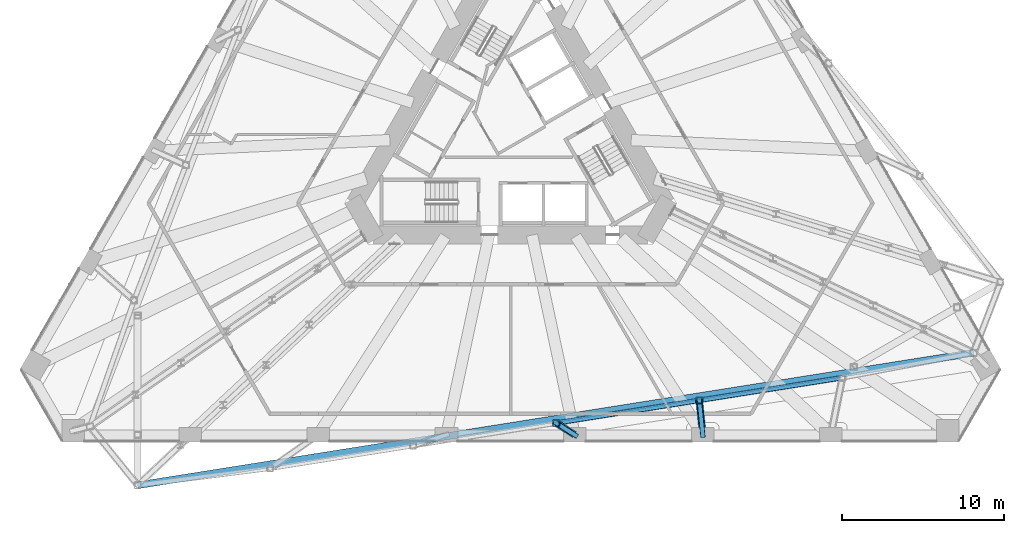
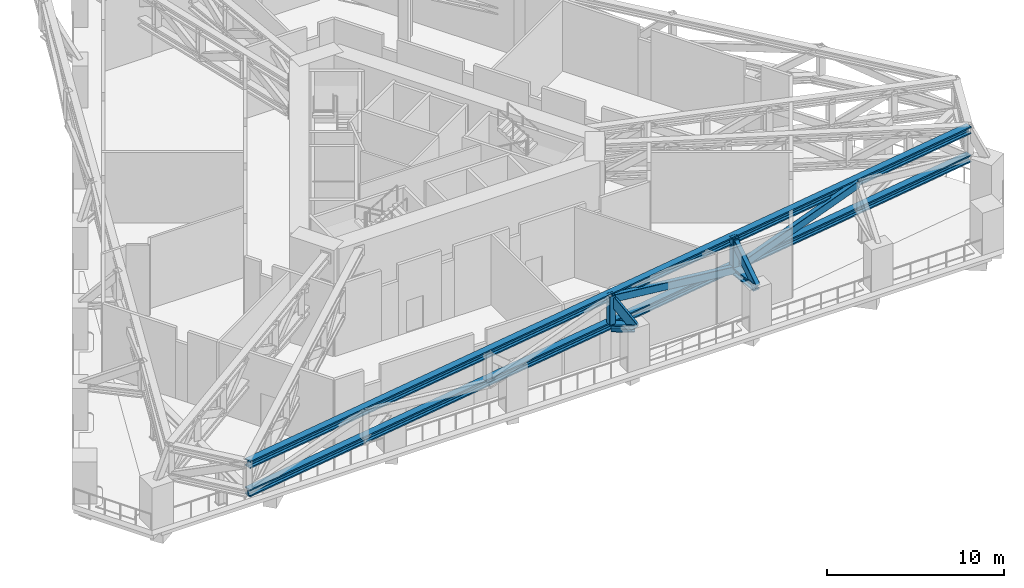
# One storey, part 5 of 20: 10 members.
"""IFC4 building model written with IfcOpenShell, lengths in metres."""

from ifc_helpers import new_model, si_unit, direction, frame, origin, origin_2d, place, context, subcontext, project, spatial, hollow_rectangle, i_section, extrude, material, material_profile, profile_set, type_object, element, save


model = new_model("IFC4")

# Units and contexts
model_context = context("Model", 3, precision=1e-05, world=origin(), true_north=direction((0.0, 1.0)))
body_context = subcontext(model_context, "Body", "Model", "MODEL_VIEW")
ifc_project = project(units=[si_unit("LENGTHUNIT", "METRE"), si_unit("AREAUNIT", "SQUARE_METRE"), si_unit("VOLUMEUNIT", "CUBIC_METRE"), si_unit("PLANEANGLEUNIT", "RADIAN"), si_unit("MASSUNIT", "GRAM", prefix="KILO")], contexts=[model_context])

# Site, building, storey
site_placement = place(None, origin())
site = spatial("IfcSite", under=ifc_project, at=site_placement, CompositionType="ELEMENT")
building_placement = place(site_placement, origin())
building = spatial("IfcBuilding", under=site, at=building_placement, Name="Tramontana Tower", CompositionType="ELEMENT")
storey_placement = place(building_placement, frame((0.0, 0.0, 46.0)))
storey = spatial("IfcBuildingStorey", under=building, at=storey_placement, Name="L09", CompositionType="ELEMENT", Elevation=46.0)

# Members
ifc_material_1 = material(Name="Steel ASTM A500 Grade C", Category="steel")
ifc_material_profile_1 = material_profile(ifc_material_1, hollow_rectangle(XDim=0.406494140625, YDim=0.406494140625, WallThickness=0.0146484375, InnerFilletRadius=0.0146484375, OuterFilletRadius=0.029541015625, at=origin_2d()), Name="HSS16X16X5/8")
ifc_profile_set_1 = profile_set([ifc_material_profile_1], Name="Steel ASTM A500 Grade C")
member_type_1 = type_object("IfcMemberType", Name="Belt truss HSS16X16X5/8 post", PredefinedType="POST", material=ifc_profile_set_1)
for number, where, z_axis, x_axis, name in (
    (1, (2.823486328125, -17.827880859375, 2.8984375), (0.0, 0.0, 1.0), (1.0, 0.0, 0.0), "Belt truss post C1F08"),
    (2, (11.662353515625, -16.427978515625, 2.8984375), (0.0, 0.0, 1.0), (1.0, 0.0, 0.0), "Belt truss post C1F09"),
):
    element("IfcMember", number, at=place(storey_placement, frame(where, z_axis=z_axis, x_axis=x_axis)), inside=storey, type_object=member_type_1, Name=name, PredefinedType="POST", context=body_context, shape_type="SweptSolid", body=[
        extrude(hollow_rectangle(XDim=0.406494140625, YDim=0.406494140625, WallThickness=0.0146484375, InnerFilletRadius=0.0146484375, OuterFilletRadius=0.029541015625, at=origin_2d()), origin(), (0.0, 0.0, 1.0), 1.95166015625),
    ])
ifc_material_2 = material(Name="Steel ASTM A500 Grade C", Category="steel")
ifc_material_profile_2 = material_profile(ifc_material_2, hollow_rectangle(XDim=0.3046875, YDim=0.508056640625, WallThickness=0.0146484375, InnerFilletRadius=0.0146484375, OuterFilletRadius=0.029541015625, at=origin_2d()), Name="HSS20X12X5/8")
ifc_profile_set_2 = profile_set([ifc_material_profile_2], Name="Steel ASTM A500 Grade C")
member_type_2 = type_object("IfcMemberType", Name="Belt truss HSS20X12X5/8 brace", PredefinedType="BRACE", material=ifc_profile_set_2)
for number, where, z_axis, x_axis, name in (
    (3, (2.823486328125, -17.827880859375, 4.600830078125), (0.965006947837, 0.15283807974, -0.21307771354), (-0.156430465615, 0.987688974034, 0.0), "Belt truss diagonal S1.4"),
    (4, (11.662353515625, -16.427978515625, 2.649169921875), (0.965003016221, 0.152864111646, 0.213076845422), (-0.156457079071, 0.987684758619, 0.0), "Belt truss diagonal S1.5"),
):
    element("IfcMember", number, at=place(storey_placement, frame(where, z_axis=z_axis, x_axis=x_axis)), inside=storey, type_object=member_type_2, Name=name, PredefinedType="BRACE", context=body_context, shape_type="SweptSolid", body=[
        extrude(hollow_rectangle(XDim=0.3046875, YDim=0.508056640625, WallThickness=0.0146484375, InnerFilletRadius=0.0146484375, OuterFilletRadius=0.029541015625, at=origin_2d()), origin(), (0.0, 0.0, 1.0), 9.159423828125),
    ])
ifc_material_3 = material(Name="Steel ASTM A992 Grade 50", Category="steel")
ifc_material_profile_3 = material_profile(ifc_material_3, i_section(OverallWidth=0.431884765625, OverallDepth=0.49853515625, WebThickness=0.0556640625, FlangeThickness=0.0888671875, FilletRadius=0.01513671875, at=origin_2d()), Name="W14X500")
ifc_profile_set_3 = profile_set([ifc_material_profile_3], Name="Steel ASTM A992 Grade 50")
member_type_3 = type_object("IfcMemberType", Name="Belt truss W14X500 chord", PredefinedType="CHORD", material=ifc_profile_set_3)
for number, where, z_axis, x_axis, name in (
    (5, (-23.040283203125, -21.671142578125, 2.649169921875), (0.987687862367, 0.156437484424, 0.0), (-0.156437484424, 0.987687862367, 0.0), "Belt truss bottom chord S1"),
    (6, (-23.040283203125, -21.671142578125, 4.600830078125), (0.987687862367, 0.156437484424, 0.0), (-0.156437484424, 0.987687862367, 0.0), "Belt truss top chord S1"),
):
    element("IfcMember", number, at=place(storey_placement, frame(where, z_axis=z_axis, x_axis=x_axis)), inside=storey, type_object=member_type_3, Name=name, PredefinedType="CHORD", context=body_context, shape_type="SweptSolid", body=[
        extrude(i_section(OverallWidth=0.431884765625, OverallDepth=0.49853515625, WebThickness=0.0556640625, FlangeThickness=0.0888671875, FilletRadius=0.01513671875, at=origin_2d()), origin(), (0.0, 0.0, 1.0), 52.29345703125),
    ])
ifc_material_4 = material(Name="Steel ASTM A500 Grade C", Category="steel")
ifc_material_profile_4 = material_profile(ifc_material_4, hollow_rectangle(XDim=0.3046875, YDim=0.508056640625, WallThickness=0.0146484375, InnerFilletRadius=0.0146484375, OuterFilletRadius=0.029541015625, at=origin_2d()), Name="HSS20X12X5/8")
ifc_profile_set_4 = profile_set([ifc_material_profile_4], Name="Steel ASTM A500 Grade C")
member_type_4 = type_object("IfcMemberType", Name="Transfer truss HSS20X12X5/8 brace", PredefinedType="BRACE", material=ifc_profile_set_4)
member_1_placement = place(storey_placement, frame((3.958984375, -18.550048828125, 2.649169921875), z_axis=(-0.478986918492, 0.304631972672, 0.823268421075), x_axis=(-0.536652428532, -0.843803395911, 0.0)))
element("IfcMember", 7, at=member_1_placement, inside=storey, type_object=member_type_4, Name="Transfer truss strut C1F08 diagonal", PredefinedType="BRACE", context=body_context, shape_type="SweptSolid", body=[
    extrude(hollow_rectangle(XDim=0.3046875, YDim=0.508056640625, WallThickness=0.0146484375, InnerFilletRadius=0.0146484375, OuterFilletRadius=0.029541015625, at=origin_2d()), origin(), (0.0, 0.0, 1.0), 2.37060546875),
])
member_2_placement = place(storey_placement, frame((11.876953125, -18.550048828125, 2.649169921875), z_axis=(-0.074228761743, 0.734011828291, 0.675067942402), x_axis=(-0.994925505794, -0.10061430276, 0.0)))
element("IfcMember", 8, at=member_2_placement, inside=storey, type_object=member_type_4, Name="Transfer truss strut C1F09 diagonal", PredefinedType="BRACE", context=body_context, shape_type="SweptSolid", body=[
    extrude(hollow_rectangle(XDim=0.3046875, YDim=0.508056640625, WallThickness=0.0146484375, InnerFilletRadius=0.0146484375, OuterFilletRadius=0.029541015625, at=origin_2d()), origin(), (0.0, 0.0, 1.0), 2.89111328125),
])
ifc_material_5 = material(Name="Steel ASTM A992 Grade 50", Category="steel")
ifc_material_profile_5 = material_profile(ifc_material_5, i_section(OverallWidth=0.431884765625, OverallDepth=0.49853515625, WebThickness=0.0556640625, FlangeThickness=0.0888671875, FilletRadius=0.01513671875, at=origin_2d()), Name="W14X500")
ifc_profile_set_5 = profile_set([ifc_material_profile_5], Name="Steel ASTM A992 Grade 50")
member_type_5 = type_object("IfcMemberType", Name="Transfer truss W14X500 strut", PredefinedType="STRUT", material=ifc_profile_set_5)
member_3_placement = place(storey_placement, frame((3.958984375, -18.550048828125, 2.649169921875), z_axis=(-0.843803395911, 0.536652428532, 0.0), x_axis=(-0.536652428532, -0.843803395911, 0.0)))
element("IfcMember", 9, at=member_3_placement, inside=storey, type_object=member_type_5, Name="Transfer truss strut C1F08 bottom", PredefinedType="STRUT", context=body_context, shape_type="SweptSolid", body=[
    extrude(i_section(OverallWidth=0.431884765625, OverallDepth=0.49853515625, WebThickness=0.0556640625, FlangeThickness=0.0888671875, FilletRadius=0.01513671875, at=origin_2d()), origin(), (0.0, 0.0, 1.0), 1.345703125),
])
member_4_placement = place(storey_placement, frame((11.876953125, -18.550048828125, 2.649169921875), z_axis=(-0.10061430276, 0.994925505794, 0.0), x_axis=(-0.994925505794, -0.10061430276, 0.0)))
element("IfcMember", 10, at=member_4_placement, inside=storey, type_object=member_type_5, Name="Transfer truss strut C1F09 bottom", PredefinedType="STRUT", context=body_context, shape_type="SweptSolid", body=[
    extrude(i_section(OverallWidth=0.431884765625, OverallDepth=0.49853515625, WebThickness=0.0556640625, FlangeThickness=0.0888671875, FilletRadius=0.01513671875, at=origin_2d()), origin(), (0.0, 0.0, 1.0), 2.1328125),
])

save(model, "model.ifc")
